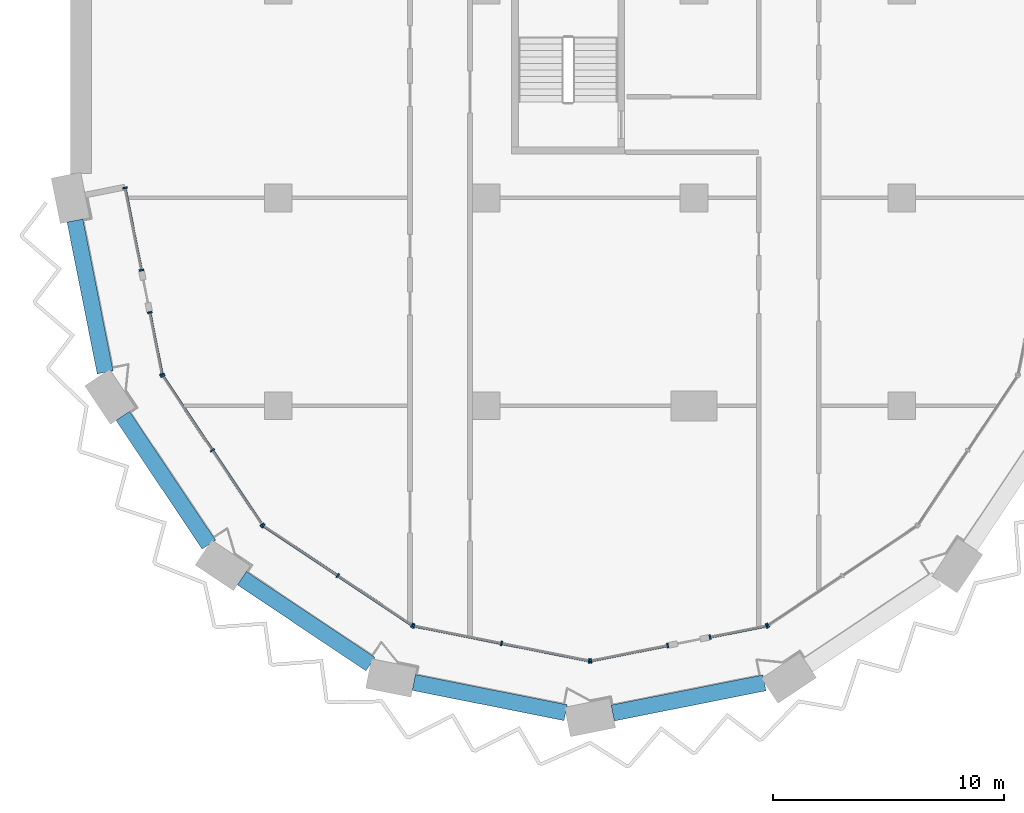
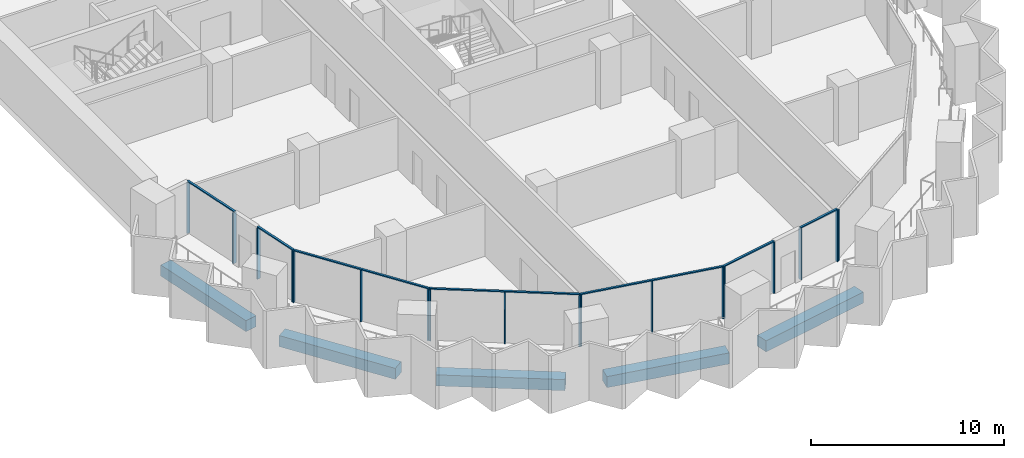
# One storey, part 2 of 22: 25 members, 5 beams, 8 elements without a shape of their own.
"""IFC4 building model written with IfcOpenShell, lengths in metres."""

from ifc_helpers import new_model, si_unit, direction, frame, origin, origin_2d, place, context, subcontext, project, spatial, rectangle, extrude, material, material_profile, profile_set, type_object, element, aggregate, save


model = new_model("IFC4")

# Units and contexts
model_context = context("Model", 3, precision=1e-05, world=origin(), true_north=direction((0.0, 1.0)))
body_context = subcontext(model_context, "Body", "Model", "MODEL_VIEW")
ifc_project = project(units=[si_unit("LENGTHUNIT", "METRE"), si_unit("AREAUNIT", "SQUARE_METRE"), si_unit("VOLUMEUNIT", "CUBIC_METRE"), si_unit("PLANEANGLEUNIT", "RADIAN"), si_unit("MASSUNIT", "GRAM", prefix="KILO")], contexts=[model_context])

# Site, building, storey
site_placement = place(None, origin())
site = spatial("IfcSite", under=ifc_project, at=site_placement, CompositionType="ELEMENT")
building_placement = place(site_placement, origin())
building = spatial("IfcBuilding", under=site, at=building_placement, Name="Hunhe Ridgeline Campus", CompositionType="ELEMENT")
storey_placement = place(building_placement, frame((0.0, 0.0, 159.699951171875)))
storey = spatial("IfcBuildingStorey", under=building, at=storey_placement, Name="L40", CompositionType="ELEMENT", Elevation=159.699951171875)

# Curtain wall, members
ifc_material_1 = material(Name="Aluminium 6063", Category="aluminium")
curtain_wall_type = type_object("IfcCurtainWallType", Name="Curtain wall CW-5", PredefinedType="NOTDEFINED", material=ifc_material_1)
curtain_wall_1_placement = place(storey_placement, origin())
curtain_wall_1 = element("IfcCurtainWall", 1, at=curtain_wall_1_placement, inside=storey, type_object=curtain_wall_type, Name="Curtain wall 01", PredefinedType="NOTDEFINED")
ifc_material_profile_1 = material_profile(ifc_material_1, rectangle(XDim=0.199951171875, YDim=0.070068359375, at=origin_2d()))
ifc_profile_set_1 = profile_set([ifc_material_profile_1], Name="Aluminium 6063")
member_type_1 = type_object("IfcMemberType", Name="CW-5 aluminium mullion", PredefinedType="MULLION", material=ifc_profile_set_1)
member_1_placement = place(storey_placement, frame((2.361572265625, 27.434326171875, 0.0), z_axis=(0.0, 0.0, 1.0), x_axis=(0.980784284924, 0.195095326561, 0.0)))
member_1 = element("IfcMember", 2, at=member_1_placement, type_object=member_type_1, Name="CW-5 mullion 1", PredefinedType="MULLION", context=body_context, shape_type="SweptSolid", body=[
    extrude(rectangle(XDim=0.199951171875, YDim=0.070068359375, at=origin_2d()), origin(), (0.0, 0.0, 1.0), 3.22998046875),
])
member_2_placement = place(storey_placement, frame((3.070068359375, 23.873291015625, 0.0), z_axis=(0.0, 0.0, 1.0), x_axis=(0.980784284924, 0.195095326561, 0.0)))
member_2 = element("IfcMember", 3, at=member_2_placement, type_object=member_type_1, Name="CW-5 mullion 2", PredefinedType="MULLION", context=body_context, shape_type="SweptSolid", body=[
    extrude(rectangle(XDim=0.199951171875, YDim=0.070068359375, at=origin_2d()), origin(), (0.0, 0.0, 1.0), 3.22998046875),
])

curtain_wall_2_placement = place(storey_placement, origin())
curtain_wall_2 = element("IfcCurtainWall", 4, at=curtain_wall_2_placement, inside=storey, type_object=curtain_wall_type, Name="Curtain wall 02", PredefinedType="NOTDEFINED")
member_3_placement = place(storey_placement, frame((3.434814453125, 22.0390625, 0.0), z_axis=(0.0, 0.0, 1.0), x_axis=(0.980784297053, 0.195095265587, 0.0)))
member_3 = element("IfcMember", 5, at=member_3_placement, type_object=member_type_1, Name="CW-5 mullion 1", PredefinedType="MULLION", context=body_context, shape_type="SweptSolid", body=[
    extrude(rectangle(XDim=0.199951171875, YDim=0.070068359375, at=origin_2d()), origin(), (0.0, 0.0, 1.0), 3.22998046875),
])
member_4_placement = place(storey_placement, frame((3.967529296875, 19.36083984375, 0.0), z_axis=(0.0, 0.0, 1.0), x_axis=(0.980784297053, 0.195095265587, 0.0)))
member_4 = element("IfcMember", 6, at=member_4_placement, type_object=member_type_1, Name="CW-5 mullion 2", PredefinedType="MULLION", context=body_context, shape_type="SweptSolid", body=[
    extrude(rectangle(XDim=0.199951171875, YDim=0.070068359375, at=origin_2d()), origin(), (0.0, 0.0, 1.0), 3.22998046875),
])

curtain_wall_3_placement = place(storey_placement, origin())
curtain_wall_3 = element("IfcCurtainWall", 7, at=curtain_wall_3_placement, inside=storey, type_object=curtain_wall_type, Name="Curtain wall 03", PredefinedType="NOTDEFINED")
member_5_placement = place(storey_placement, frame((3.993896484375, 19.29736328125, 0.0), z_axis=(0.0, 0.0, 1.0), x_axis=(0.831469584522, 0.555570274596, 0.0)))
member_5 = element("IfcMember", 8, at=member_5_placement, type_object=member_type_1, Name="CW-5 mullion 1", PredefinedType="MULLION", context=body_context, shape_type="SweptSolid", body=[
    extrude(rectangle(XDim=0.199951171875, YDim=0.070068359375, at=origin_2d()), origin(), (0.0, 0.0, 1.0), 3.22998046875),
])
member_6_placement = place(storey_placement, frame((6.147705078125, 16.07373046875, 0.0), z_axis=(0.0, 0.0, 1.0), x_axis=(0.831469584522, 0.555570274596, 0.0)))
member_6 = element("IfcMember", 9, at=member_6_placement, type_object=member_type_1, Name="CW-5 mullion 2", PredefinedType="MULLION", context=body_context, shape_type="SweptSolid", body=[
    extrude(rectangle(XDim=0.199951171875, YDim=0.070068359375, at=origin_2d()), origin(), (0.0, 0.0, 1.0), 3.22998046875),
])
member_7_placement = place(storey_placement, frame((8.3017578125, 12.850341796875, 0.0), z_axis=(0.0, 0.0, 1.0), x_axis=(0.831469584522, 0.555570274596, 0.0)))
member_7 = element("IfcMember", 10, at=member_7_placement, type_object=member_type_1, Name="CW-5 mullion 3", PredefinedType="MULLION", context=body_context, shape_type="SweptSolid", body=[
    extrude(rectangle(XDim=0.199951171875, YDim=0.070068359375, at=origin_2d()), origin(), (0.0, 0.0, 1.0), 3.22998046875),
])

curtain_wall_4_placement = place(storey_placement, origin())
curtain_wall_4 = element("IfcCurtainWall", 11, at=curtain_wall_4_placement, inside=storey, type_object=curtain_wall_type, Name="Curtain wall 04", PredefinedType="NOTDEFINED")
member_8_placement = place(storey_placement, frame((8.350341796875, 12.8017578125, 0.0), z_axis=(0.0, 0.0, 1.0), x_axis=(0.555570274596, 0.831469584522, 0.0)))
member_8 = element("IfcMember", 12, at=member_8_placement, type_object=member_type_1, Name="CW-5 mullion 1", PredefinedType="MULLION", context=body_context, shape_type="SweptSolid", body=[
    extrude(rectangle(XDim=0.199951171875, YDim=0.070068359375, at=origin_2d()), origin(), (0.0, 0.0, 1.0), 3.22998046875),
])
member_9_placement = place(storey_placement, frame((11.57373046875, 10.647705078125, 0.0), z_axis=(0.0, 0.0, 1.0), x_axis=(0.555570274596, 0.831469584522, 0.0)))
member_9 = element("IfcMember", 13, at=member_9_placement, type_object=member_type_1, Name="CW-5 mullion 2", PredefinedType="MULLION", context=body_context, shape_type="SweptSolid", body=[
    extrude(rectangle(XDim=0.199951171875, YDim=0.070068359375, at=origin_2d()), origin(), (0.0, 0.0, 1.0), 3.22998046875),
])
member_10_placement = place(storey_placement, frame((14.79736328125, 8.493896484375, 0.0), z_axis=(0.0, 0.0, 1.0), x_axis=(0.555570274596, 0.831469584522, 0.0)))
member_10 = element("IfcMember", 14, at=member_10_placement, type_object=member_type_1, Name="CW-5 mullion 3", PredefinedType="MULLION", context=body_context, shape_type="SweptSolid", body=[
    extrude(rectangle(XDim=0.199951171875, YDim=0.070068359375, at=origin_2d()), origin(), (0.0, 0.0, 1.0), 3.22998046875),
])

curtain_wall_5_placement = place(storey_placement, origin())
curtain_wall_5 = element("IfcCurtainWall", 15, at=curtain_wall_5_placement, inside=storey, type_object=curtain_wall_type, Name="Curtain wall 05", PredefinedType="NOTDEFINED")
member_11_placement = place(storey_placement, frame((14.86083984375, 8.467529296875, 0.0), z_axis=(0.0, 0.0, 1.0), x_axis=(0.195090347539, 0.980785275326, 0.0)))
member_11 = element("IfcMember", 16, at=member_11_placement, type_object=member_type_1, Name="CW-5 mullion 1", PredefinedType="MULLION", context=body_context, shape_type="SweptSolid", body=[
    extrude(rectangle(XDim=0.199951171875, YDim=0.070068359375, at=origin_2d()), origin(), (0.0, 0.0, 1.0), 3.22998046875),
])
member_12_placement = place(storey_placement, frame((18.663330078125, 7.711181640625, 0.0), z_axis=(0.0, 0.0, 1.0), x_axis=(0.195090347539, 0.980785275326, 0.0)))
member_12 = element("IfcMember", 17, at=member_12_placement, type_object=member_type_1, Name="CW-5 mullion 2", PredefinedType="MULLION", context=body_context, shape_type="SweptSolid", body=[
    extrude(rectangle(XDim=0.199951171875, YDim=0.070068359375, at=origin_2d()), origin(), (0.0, 0.0, 1.0), 3.22998046875),
])
member_13_placement = place(storey_placement, frame((22.465576171875, 6.954833984375, 0.0), z_axis=(0.0, 0.0, 1.0), x_axis=(0.195090347539, 0.980785275326, 0.0)))
member_13 = element("IfcMember", 18, at=member_13_placement, type_object=member_type_1, Name="CW-5 mullion 3", PredefinedType="MULLION", context=body_context, shape_type="SweptSolid", body=[
    extrude(rectangle(XDim=0.199951171875, YDim=0.070068359375, at=origin_2d()), origin(), (0.0, 0.0, 1.0), 3.22998046875),
])

curtain_wall_6_placement = place(storey_placement, origin())
curtain_wall_6 = element("IfcCurtainWall", 19, at=curtain_wall_6_placement, inside=storey, type_object=curtain_wall_type, Name="Curtain wall 06", PredefinedType="NOTDEFINED")
member_14_placement = place(storey_placement, frame((22.534423828125, 6.954833984375, 0.0), z_axis=(0.0, 0.0, 1.0), x_axis=(-0.19509037034, 0.980785270791, 0.0)))
member_14 = element("IfcMember", 20, at=member_14_placement, type_object=member_type_1, Name="CW-5 mullion 1", PredefinedType="MULLION", context=body_context, shape_type="SweptSolid", body=[
    extrude(rectangle(XDim=0.199951171875, YDim=0.070068359375, at=origin_2d()), origin(), (0.0, 0.0, 1.0), 3.22998046875),
])
member_15_placement = place(storey_placement, frame((25.861083984375, 7.61669921875, 0.0), z_axis=(0.0, 0.0, 1.0), x_axis=(-0.19509037034, 0.980785270791, 0.0)))
member_15 = element("IfcMember", 21, at=member_15_placement, type_object=member_type_1, Name="CW-5 mullion 2", PredefinedType="MULLION", context=body_context, shape_type="SweptSolid", body=[
    extrude(rectangle(XDim=0.199951171875, YDim=0.070068359375, at=origin_2d()), origin(), (0.0, 0.0, 1.0), 3.22998046875),
])

curtain_wall_7_placement = place(storey_placement, origin())
curtain_wall_7 = element("IfcCurtainWall", 22, at=curtain_wall_7_placement, inside=storey, type_object=curtain_wall_type, Name="Curtain wall 07", PredefinedType="NOTDEFINED")
member_16_placement = place(storey_placement, frame((27.695068359375, 7.9814453125, 0.0), z_axis=(0.0, 0.0, 1.0), x_axis=(-0.195090514627, 0.980785242091, 0.0)))
member_16 = element("IfcMember", 23, at=member_16_placement, type_object=member_type_1, Name="CW-5 mullion 1", PredefinedType="MULLION", context=body_context, shape_type="SweptSolid", body=[
    extrude(rectangle(XDim=0.199951171875, YDim=0.070068359375, at=origin_2d()), origin(), (0.0, 0.0, 1.0), 3.22998046875),
])
member_17_placement = place(storey_placement, frame((30.13916015625, 8.467529296875, 0.0), z_axis=(0.0, 0.0, 1.0), x_axis=(-0.195090514627, 0.980785242091, 0.0)))
member_17 = element("IfcMember", 24, at=member_17_placement, type_object=member_type_1, Name="CW-5 mullion 2", PredefinedType="MULLION", context=body_context, shape_type="SweptSolid", body=[
    extrude(rectangle(XDim=0.199951171875, YDim=0.070068359375, at=origin_2d()), origin(), (0.0, 0.0, 1.0), 3.22998046875),
])

# Curtain wall, member
curtain_wall_8_placement = place(storey_placement, origin())
curtain_wall_8 = element("IfcCurtainWall", 25, at=curtain_wall_8_placement, inside=storey, type_object=curtain_wall_type, Name="Curtain wall 08", PredefinedType="NOTDEFINED")
member_18_placement = place(storey_placement, frame((30.20263671875, 8.493896484375, 0.0), z_axis=(0.0, 0.0, 1.0), x_axis=(-0.555570274596, 0.831469584522, 0.0)))
member_18 = element("IfcMember", 26, at=member_18_placement, type_object=member_type_1, Name="CW-5 mullion 1", PredefinedType="MULLION", context=body_context, shape_type="SweptSolid", body=[
    extrude(rectangle(XDim=0.199951171875, YDim=0.070068359375, at=origin_2d()), origin(), (0.0, 0.0, 1.0), 3.22998046875),
])
aggregate(curtain_wall_8, [member_18])

# Member
ifc_material_profile_2 = material_profile(ifc_material_1, rectangle(XDim=0.1201171875, YDim=0.070068359375, at=origin_2d()))
ifc_profile_set_2 = profile_set([ifc_material_profile_2], Name="Aluminium 6063")
member_type_2 = type_object("IfcMemberType", Name="CW-5 aluminium transom", PredefinedType="USERDEFINED", material=ifc_profile_set_2)
member_19_placement = place(storey_placement, frame((2.354736328125, 27.46875, 3.26513671875), z_axis=(0.195126549745, -0.980778073564, 0.0), x_axis=(0.980778073564, 0.195126549745, 0.0)))
member_19 = element("IfcMember", 27, at=member_19_placement, type_object=member_type_2, Name="CW-5 transom 1", ObjectType="TRANSOM", PredefinedType="USERDEFINED", context=body_context, shape_type="SweptSolid", body=[
    extrude(rectangle(XDim=0.1201171875, YDim=0.070068359375, at=origin_2d()), origin(), (0.0, 0.0, 1.0), 3.700927734375),
])

aggregate(curtain_wall_1, [member_19, member_1, member_2])

member_20_placement = place(storey_placement, frame((3.427978515625, 22.073486328125, 3.26513671875), z_axis=(0.195076742145, -0.98078798151, 0.0), x_axis=(0.98078798151, 0.195076742145, 0.0)))
member_20 = element("IfcMember", 28, at=member_20_placement, type_object=member_type_2, Name="CW-5 transom 1", ObjectType="TRANSOM", PredefinedType="USERDEFINED", context=body_context, shape_type="SweptSolid", body=[
    extrude(rectangle(XDim=0.1201171875, YDim=0.070068359375, at=origin_2d()), origin(), (0.0, 0.0, 1.0), 2.80078125),
])

aggregate(curtain_wall_2, [member_20, member_3, member_4])

member_21_placement = place(storey_placement, frame((3.974365234375, 19.326416015625, 3.26513671875), z_axis=(0.5555640203, -0.831473763475, 0.0), x_axis=(0.831473763475, 0.5555640203, 0.0)))
member_21 = element("IfcMember", 29, at=member_21_placement, type_object=member_type_2, Name="CW-5 transom 1", ObjectType="TRANSOM", PredefinedType="USERDEFINED", context=body_context, shape_type="SweptSolid", body=[
    extrude(rectangle(XDim=0.1201171875, YDim=0.070068359375, at=origin_2d()), origin(), (0.0, 0.0, 1.0), 7.823974609375),
])

aggregate(curtain_wall_3, [member_21, member_5, member_6, member_7])

member_22_placement = place(storey_placement, frame((8.321044921875, 12.821044921875, 3.26513671875), z_axis=(0.831473763475, -0.5555640203, 0.0), x_axis=(0.5555640203, 0.831473763475, 0.0)))
member_22 = element("IfcMember", 30, at=member_22_placement, type_object=member_type_2, Name="CW-5 transom 1", ObjectType="TRANSOM", PredefinedType="USERDEFINED", context=body_context, shape_type="SweptSolid", body=[
    extrude(rectangle(XDim=0.1201171875, YDim=0.070068359375, at=origin_2d()), origin(), (0.0, 0.0, 1.0), 7.823974609375),
])

aggregate(curtain_wall_4, [member_22, member_8, member_9, member_10])

member_23_placement = place(storey_placement, frame((14.826416015625, 8.474365234375, 3.26513671875), z_axis=(0.980785367689, -0.195089883198, 0.0), x_axis=(0.195089883198, 0.980785367689, 0.0)))
member_23 = element("IfcMember", 31, at=member_23_placement, type_object=member_type_2, Name="CW-5 transom 1", ObjectType="TRANSOM", PredefinedType="USERDEFINED", context=body_context, shape_type="SweptSolid", body=[
    extrude(rectangle(XDim=0.1201171875, YDim=0.070068359375, at=origin_2d()), origin(), (0.0, 0.0, 1.0), 7.823974609375),
])

aggregate(curtain_wall_5, [member_23, member_11, member_12, member_13])

member_24_placement = place(storey_placement, frame((22.5, 6.947998046875, 3.26513671875), z_axis=(0.980778171596, 0.195126057004, 0.0), x_axis=(-0.195126057004, 0.980778171596, 0.0)))
member_24 = element("IfcMember", 32, at=member_24_placement, type_object=member_type_2, Name="CW-5 transom 1", ObjectType="TRANSOM", PredefinedType="USERDEFINED", context=body_context, shape_type="SweptSolid", body=[
    extrude(rectangle(XDim=0.1201171875, YDim=0.070068359375, at=origin_2d()), origin(), (0.0, 0.0, 1.0), 3.462158203125),
])

aggregate(curtain_wall_6, [member_24, member_14, member_15])

member_25_placement = place(storey_placement, frame((27.660888671875, 7.974609375, 3.26513671875), z_axis=(0.980789038007, 0.195071430315, 0.0), x_axis=(-0.195071430315, 0.980789038007, 0.0)))
member_25 = element("IfcMember", 33, at=member_25_placement, type_object=member_type_2, Name="CW-5 transom 1", ObjectType="TRANSOM", PredefinedType="USERDEFINED", context=body_context, shape_type="SweptSolid", body=[
    extrude(rectangle(XDim=0.1201171875, YDim=0.070068359375, at=origin_2d()), origin(), (0.0, 0.0, 1.0), 2.56201171875),
])

aggregate(curtain_wall_7, [member_25, member_16, member_17])

# Beams
ifc_material_2 = material(Name="Concrete C60", Category="concrete")
ifc_material_profile_3 = material_profile(ifc_material_2, rectangle(XDim=0.699951171875, YDim=0.699951171875, at=origin_2d()))
ifc_profile_set_3 = profile_set([ifc_material_profile_3], Name="Concrete C60")
beam_type = type_object("IfcBeamType", Name="RC spandrel beam 700x700 Concrete C60", PredefinedType="SPANDREL", material=ifc_profile_set_3)
for number, where, z_axis, x_axis, name in (
    (34, (0.195068359375, 26.019287109375, -0.599853515625), (0.195078418929, -0.980787647999, 0.0), (0.980787647999, 0.195078418929, 0.0), "Spandrel beam B2-1 L40"),
    (35, (2.268310546875, 17.55810546875, -0.599853515625), (0.555566447474, -0.831472141711, 0.0), (0.831472141711, 0.555566447474, 0.0), "Spandrel beam B2-2 L40"),
    (36, (7.421630859375, 10.534423828125, -0.599853515625), (0.831472141711, -0.555566447474, 0.0), (0.555566447474, 0.831472141711, 0.0), "Spandrel beam B2-3 L40"),
    (37, (14.870361328125, 6.017578125, -0.599853515625), (0.980787647999, -0.195078418929, 0.0), (0.195078418929, 0.980787647999, 0.0), "Spandrel beam B2-4 L40"),
    (38, (23.480712890625, 4.695068359375, -0.599853515625), (0.980787647999, 0.195078418929, 0.0), (-0.195078418929, 0.980787647999, 0.0), "Spandrel beam B2-5 L40"),
):
    element("IfcBeam", number, at=place(storey_placement, frame(where, z_axis=z_axis, x_axis=x_axis)), inside=storey, type_object=beam_type, Name=name, PredefinedType="SPANDREL", context=body_context, shape_type="SweptSolid", body=[
        extrude(rectangle(XDim=0.699951171875, YDim=0.699951171875, at=origin_2d()), origin(), (0.0, 0.0, 1.0), 6.69677734375),
    ])

save(model, "model.ifc")
